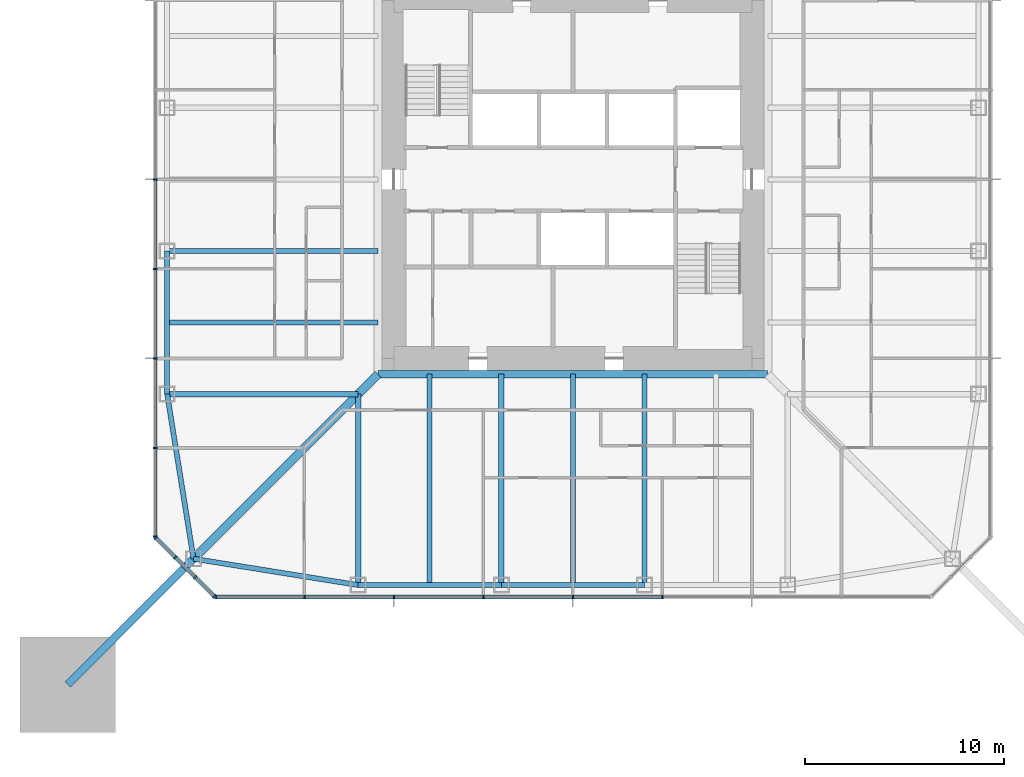
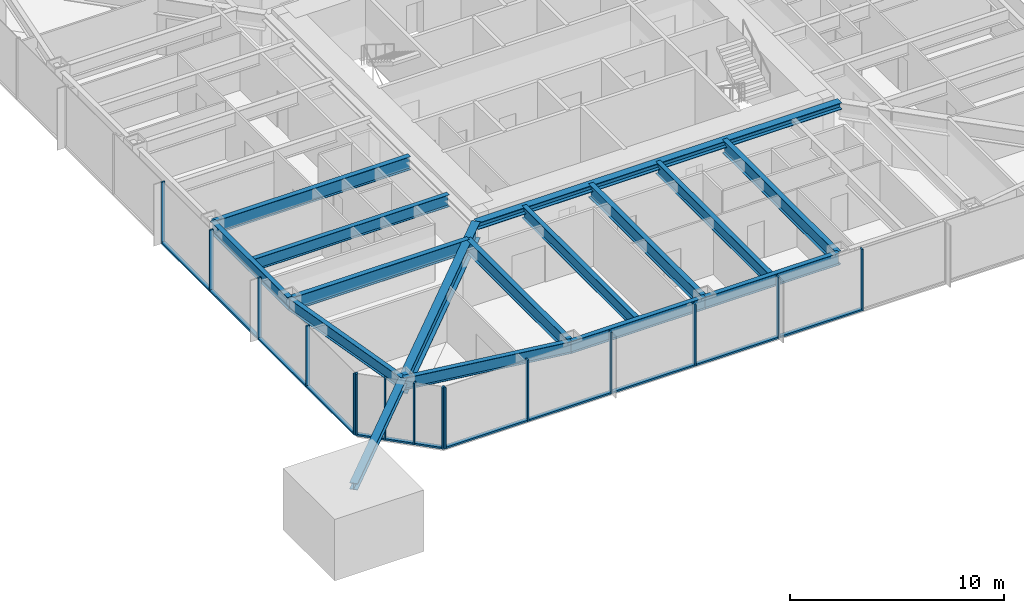
# One storey, part 3 of 25: 28 members, 15 beams, 3 elements without a shape of their own.
"""IFC4 building model written with IfcOpenShell, lengths in metres."""

from ifc_helpers import new_model, si_unit, direction, frame, origin, origin_2d, place, context, subcontext, project, spatial, rectangle, i_section, extrude, material, material_profile, profile_set, type_object, element, aggregate, save


model = new_model("IFC4")

# Units and contexts
model_context = context("Model", 3, precision=1e-05, world=origin(), true_north=direction((0.0, 1.0)))
body_context = subcontext(model_context, "Body", "Model", "MODEL_VIEW")
ifc_project = project(units=[si_unit("LENGTHUNIT", "METRE"), si_unit("AREAUNIT", "SQUARE_METRE"), si_unit("VOLUMEUNIT", "CUBIC_METRE"), si_unit("PLANEANGLEUNIT", "RADIAN"), si_unit("MASSUNIT", "GRAM", prefix="KILO")], contexts=[model_context])

# Site, building, storey
site_placement = place(None, origin())
site = spatial("IfcSite", under=ifc_project, at=site_placement, CompositionType="ELEMENT")
building_placement = place(site_placement, origin())
building = spatial("IfcBuilding", under=site, at=building_placement, Name="Iwan Alto Co-Living Towers", CompositionType="ELEMENT")
storey_placement = place(building_placement, frame((0.0, 0.0, 105.0)))
storey = spatial("IfcBuildingStorey", under=building, at=storey_placement, Name="L28", CompositionType="ELEMENT", Elevation=105.0)

# Curtain wall, members
ifc_material_1 = material(Name="Bronze aluminium unitised frame", Category="aluminium")
curtain_wall_type_1 = type_object("IfcCurtainWallType", Name="CURTAIN WALL CW-A", PredefinedType="NOTDEFINED", material=ifc_material_1)
curtain_wall_1_placement = place(storey_placement, origin())
curtain_wall_1 = element("IfcCurtainWall", 1, at=curtain_wall_1_placement, inside=storey, type_object=curtain_wall_type_1, Name="T1 curtain wall S L28", PredefinedType="NOTDEFINED")
ifc_material_2 = material(Name="Aluminium 6063-T6 bronze anodised", Category="aluminium")
ifc_material_profile_1 = material_profile(ifc_material_2, rectangle(XDim=0.199951171875, YDim=0.080078125, at=origin_2d()), Name="AL 80X200")
ifc_profile_set_1 = profile_set([ifc_material_profile_1], Name="Aluminium 6063-T6 bronze anodised")
member_type_1 = type_object("IfcMemberType", Name="CW-A MULLION 80X200", PredefinedType="MULLION", material=ifc_profile_set_1)
member_1_placement = place(storey_placement, frame((-17.9599609375, -21.0, 0.0), z_axis=(0.0, 0.0, 1.0), x_axis=(0.0, 1.0, 0.0)))
member_1 = element("IfcMember", 2, at=member_1_placement, type_object=member_type_1, Name="CW-A mullion 1", PredefinedType="MULLION", context=body_context, shape_type="SweptSolid", body=[
    extrude(rectangle(XDim=0.199951171875, YDim=0.080078125, at=origin_2d()), origin(), (0.0, 0.0, 1.0), 3.5),
])
member_2_placement = place(storey_placement, frame((-13.5, -21.0, 0.0), z_axis=(0.0, 0.0, 1.0), x_axis=(0.0, 1.0, 0.0)))
member_2 = element("IfcMember", 3, at=member_2_placement, type_object=member_type_1, Name="CW-A mullion 2", PredefinedType="MULLION", context=body_context, shape_type="SweptSolid", body=[
    extrude(rectangle(XDim=0.199951171875, YDim=0.080078125, at=origin_2d()), origin(), (0.0, 0.0, 1.0), 3.5),
])
member_3_placement = place(storey_placement, frame((-9.0, -21.0, 0.0), z_axis=(0.0, 0.0, 1.0), x_axis=(0.0, 1.0, 0.0)))
member_3 = element("IfcMember", 4, at=member_3_placement, type_object=member_type_1, Name="CW-A mullion 3", PredefinedType="MULLION", context=body_context, shape_type="SweptSolid", body=[
    extrude(rectangle(XDim=0.199951171875, YDim=0.080078125, at=origin_2d()), origin(), (0.0, 0.0, 1.0), 3.5),
])
member_4_placement = place(storey_placement, frame((-4.5, -21.0, 0.0), z_axis=(0.0, 0.0, 1.0), x_axis=(0.0, 1.0, 0.0)))
member_4 = element("IfcMember", 5, at=member_4_placement, type_object=member_type_1, Name="CW-A mullion 4", PredefinedType="MULLION", context=body_context, shape_type="SweptSolid", body=[
    extrude(rectangle(XDim=0.199951171875, YDim=0.080078125, at=origin_2d()), origin(), (0.0, 0.0, 1.0), 3.5),
])
member_5_placement = place(storey_placement, frame((0.0, -21.0, 0.0), z_axis=(0.0, 0.0, 1.0), x_axis=(0.0, 1.0, 0.0)))
member_5 = element("IfcMember", 6, at=member_5_placement, type_object=member_type_1, Name="CW-A mullion 5", PredefinedType="MULLION", context=body_context, shape_type="SweptSolid", body=[
    extrude(rectangle(XDim=0.199951171875, YDim=0.080078125, at=origin_2d()), origin(), (0.0, 0.0, 1.0), 3.5),
])
member_6_placement = place(storey_placement, frame((4.5, -21.0, 0.0), z_axis=(0.0, 0.0, 1.0), x_axis=(0.0, 1.0, 0.0)))
member_6 = element("IfcMember", 7, at=member_6_placement, type_object=member_type_1, Name="CW-A mullion 6", PredefinedType="MULLION", context=body_context, shape_type="SweptSolid", body=[
    extrude(rectangle(XDim=0.199951171875, YDim=0.080078125, at=origin_2d()), origin(), (0.0, 0.0, 1.0), 3.5),
])

curtain_wall_2_placement = place(storey_placement, origin())
curtain_wall_2 = element("IfcCurtainWall", 8, at=curtain_wall_2_placement, inside=storey, type_object=curtain_wall_type_1, Name="T1 curtain wall W L28", PredefinedType="NOTDEFINED")
member_7_placement = place(storey_placement, frame((-21.0, 0.0, 0.0), z_axis=(0.0, 0.0, 1.0), x_axis=(1.0, 0.0, 0.0)))
member_7 = element("IfcMember", 9, at=member_7_placement, type_object=member_type_1, Name="CW-A mullion 5", PredefinedType="MULLION", context=body_context, shape_type="SweptSolid", body=[
    extrude(rectangle(XDim=0.199951171875, YDim=0.080078125, at=origin_2d()), origin(), (0.0, 0.0, 1.0), 3.5),
])
member_8_placement = place(storey_placement, frame((-21.0, -4.5, 0.0), z_axis=(0.0, 0.0, 1.0), x_axis=(1.0, 0.0, 0.0)))
member_8 = element("IfcMember", 10, at=member_8_placement, type_object=member_type_1, Name="CW-A mullion 6", PredefinedType="MULLION", context=body_context, shape_type="SweptSolid", body=[
    extrude(rectangle(XDim=0.199951171875, YDim=0.080078125, at=origin_2d()), origin(), (0.0, 0.0, 1.0), 3.5),
])
member_9_placement = place(storey_placement, frame((-21.0, -9.0, 0.0), z_axis=(0.0, 0.0, 1.0), x_axis=(1.0, 0.0, 0.0)))
member_9 = element("IfcMember", 11, at=member_9_placement, type_object=member_type_1, Name="CW-A mullion 7", PredefinedType="MULLION", context=body_context, shape_type="SweptSolid", body=[
    extrude(rectangle(XDim=0.199951171875, YDim=0.080078125, at=origin_2d()), origin(), (0.0, 0.0, 1.0), 3.5),
])
member_10_placement = place(storey_placement, frame((-21.0, -13.5, 0.0), z_axis=(0.0, 0.0, 1.0), x_axis=(1.0, 0.0, 0.0)))
member_10 = element("IfcMember", 12, at=member_10_placement, type_object=member_type_1, Name="CW-A mullion 8", PredefinedType="MULLION", context=body_context, shape_type="SweptSolid", body=[
    extrude(rectangle(XDim=0.199951171875, YDim=0.080078125, at=origin_2d()), origin(), (0.0, 0.0, 1.0), 3.5),
])
member_11_placement = place(storey_placement, frame((-21.0, -17.9599609375, 0.0), z_axis=(0.0, 0.0, 1.0), x_axis=(1.0, 0.0, 0.0)))
member_11 = element("IfcMember", 13, at=member_11_placement, type_object=member_type_1, Name="CW-A mullion 9", PredefinedType="MULLION", context=body_context, shape_type="SweptSolid", body=[
    extrude(rectangle(XDim=0.199951171875, YDim=0.080078125, at=origin_2d()), origin(), (0.0, 0.0, 1.0), 3.5),
])

# Member
ifc_material_3 = material(Name="Aluminium 6063-T6 bronze anodised", Category="aluminium")
ifc_material_profile_2 = material_profile(ifc_material_3, rectangle(XDim=0.199951171875, YDim=0.10009765625, at=origin_2d()), Name="AL 200X100")
ifc_profile_set_2 = profile_set([ifc_material_profile_2], Name="Aluminium 6063-T6 bronze anodised")
member_type_2 = type_object("IfcMemberType", Name="CW-A TRANSOM 200X100", PredefinedType="USERDEFINED", material=ifc_profile_set_2)
member_12_placement = place(storey_placement, frame((-17.919921875, -21.0, 0.050048828125), z_axis=(1.0, 0.0, 0.0), x_axis=(0.0, 1.0, 0.0)))
member_12 = element("IfcMember", 14, at=member_12_placement, type_object=member_type_2, Name="CW-A transom 1.1", ObjectType="TRANSOM", PredefinedType="USERDEFINED", context=body_context, shape_type="SweptSolid", body=[
    extrude(rectangle(XDim=0.199951171875, YDim=0.10009765625, at=origin_2d()), origin(), (0.0, 0.0, 1.0), 4.3798828125),
])

member_13_placement = place(storey_placement, frame((-13.4599609375, -21.0, 0.050048828125), z_axis=(1.0, 0.0, 0.0), x_axis=(0.0, 1.0, 0.0)))
member_13 = element("IfcMember", 15, at=member_13_placement, type_object=member_type_2, Name="CW-A transom 2.1", ObjectType="TRANSOM", PredefinedType="USERDEFINED", context=body_context, shape_type="SweptSolid", body=[
    extrude(rectangle(XDim=0.199951171875, YDim=0.10009765625, at=origin_2d()), origin(), (0.0, 0.0, 1.0), 4.419921875),
])

member_14_placement = place(storey_placement, frame((-8.9599609375, -21.0, 0.050048828125), z_axis=(1.0, 0.0, 0.0), x_axis=(0.0, 1.0, 0.0)))
member_14 = element("IfcMember", 16, at=member_14_placement, type_object=member_type_2, Name="CW-A transom 3.1", ObjectType="TRANSOM", PredefinedType="USERDEFINED", context=body_context, shape_type="SweptSolid", body=[
    extrude(rectangle(XDim=0.199951171875, YDim=0.10009765625, at=origin_2d()), origin(), (0.0, 0.0, 1.0), 4.419921875),
])

member_15_placement = place(storey_placement, frame((-4.4599609375, -21.0, 0.050048828125), z_axis=(1.0, 0.0, 0.0), x_axis=(0.0, 1.0, 0.0)))
member_15 = element("IfcMember", 17, at=member_15_placement, type_object=member_type_2, Name="CW-A transom 4.1", ObjectType="TRANSOM", PredefinedType="USERDEFINED", context=body_context, shape_type="SweptSolid", body=[
    extrude(rectangle(XDim=0.199951171875, YDim=0.10009765625, at=origin_2d()), origin(), (0.0, 0.0, 1.0), 4.419921875),
])

member_16_placement = place(storey_placement, frame((0.0400390625, -21.0, 0.050048828125), z_axis=(1.0, 0.0, 0.0), x_axis=(0.0, 1.0, 0.0)))
member_16 = element("IfcMember", 18, at=member_16_placement, type_object=member_type_2, Name="CW-A transom 5.1", ObjectType="TRANSOM", PredefinedType="USERDEFINED", context=body_context, shape_type="SweptSolid", body=[
    extrude(rectangle(XDim=0.199951171875, YDim=0.10009765625, at=origin_2d()), origin(), (0.0, 0.0, 1.0), 4.419921875),
])

aggregate(curtain_wall_1, [member_1, member_2, member_3, member_4, member_5, member_6, member_12, member_13, member_14, member_15, member_16])

member_17_placement = place(storey_placement, frame((-21.0, -0.0400390625, 0.050048828125), z_axis=(0.0, -1.0, 0.0), x_axis=(1.0, 0.0, 0.0)))
member_17 = element("IfcMember", 19, at=member_17_placement, type_object=member_type_2, Name="CW-A transom 5.1", ObjectType="TRANSOM", PredefinedType="USERDEFINED", context=body_context, shape_type="SweptSolid", body=[
    extrude(rectangle(XDim=0.199951171875, YDim=0.10009765625, at=origin_2d()), origin(), (0.0, 0.0, 1.0), 4.419921875),
])

member_18_placement = place(storey_placement, frame((-21.0, -4.5400390625, 0.050048828125), z_axis=(0.0, -1.0, 0.0), x_axis=(1.0, 0.0, 0.0)))
member_18 = element("IfcMember", 20, at=member_18_placement, type_object=member_type_2, Name="CW-A transom 6.1", ObjectType="TRANSOM", PredefinedType="USERDEFINED", context=body_context, shape_type="SweptSolid", body=[
    extrude(rectangle(XDim=0.199951171875, YDim=0.10009765625, at=origin_2d()), origin(), (0.0, 0.0, 1.0), 4.419921875),
])

member_19_placement = place(storey_placement, frame((-21.0, -9.0400390625, 0.050048828125), z_axis=(0.0, -1.0, 0.0), x_axis=(1.0, 0.0, 0.0)))
member_19 = element("IfcMember", 21, at=member_19_placement, type_object=member_type_2, Name="CW-A transom 7.1", ObjectType="TRANSOM", PredefinedType="USERDEFINED", context=body_context, shape_type="SweptSolid", body=[
    extrude(rectangle(XDim=0.199951171875, YDim=0.10009765625, at=origin_2d()), origin(), (0.0, 0.0, 1.0), 4.419921875),
])

member_20_placement = place(storey_placement, frame((-21.0, -13.5400390625, 0.050048828125), z_axis=(0.0, -1.0, 0.0), x_axis=(1.0, 0.0, 0.0)))
member_20 = element("IfcMember", 22, at=member_20_placement, type_object=member_type_2, Name="CW-A transom 8.1", ObjectType="TRANSOM", PredefinedType="USERDEFINED", context=body_context, shape_type="SweptSolid", body=[
    extrude(rectangle(XDim=0.199951171875, YDim=0.10009765625, at=origin_2d()), origin(), (0.0, 0.0, 1.0), 4.3798828125),
])

aggregate(curtain_wall_2, [member_7, member_8, member_9, member_10, member_11, member_17, member_18, member_19, member_20])

# Curtain wall, members
ifc_material_4 = material(Name="Bronze aluminium unitised frame", Category="aluminium")
curtain_wall_type_2 = type_object("IfcCurtainWallType", Name="CURTAIN WALL CW-B", PredefinedType="NOTDEFINED", material=ifc_material_4)
curtain_wall_3_placement = place(storey_placement, origin())
curtain_wall_3 = element("IfcCurtainWall", 23, at=curtain_wall_3_placement, inside=storey, type_object=curtain_wall_type_2, Name="T1 chamfer curtain wall SW L28", PredefinedType="NOTDEFINED")
ifc_material_5 = material(Name="Aluminium 6063-T6 bronze anodised", Category="aluminium")
ifc_material_profile_3 = material_profile(ifc_material_5, rectangle(XDim=0.199951171875, YDim=0.080078125, at=origin_2d()), Name="AL 80X200")
ifc_profile_set_3 = profile_set([ifc_material_profile_3], Name="Aluminium 6063-T6 bronze anodised")
member_type_3 = type_object("IfcMemberType", Name="CW-B MULLION 80X200", PredefinedType="MULLION", material=ifc_profile_set_3)
member_21_placement = place(storey_placement, frame((-20.9716796875, -18.0283203125, 0.0), z_axis=(0.0, 0.0, 1.0), x_axis=(0.707106781187, 0.707106781187, 0.0)))
member_21 = element("IfcMember", 24, at=member_21_placement, type_object=member_type_3, Name="CW-B mullion 1", PredefinedType="MULLION", context=body_context, shape_type="SweptSolid", body=[
    extrude(rectangle(XDim=0.199951171875, YDim=0.080078125, at=origin_2d()), origin(), (0.0, 0.0, 1.0), 3.5),
])
member_22_placement = place(storey_placement, frame((-20.0, -19.0, 0.0), z_axis=(0.0, 0.0, 1.0), x_axis=(0.707106781187, 0.707106781187, 0.0)))
member_22 = element("IfcMember", 25, at=member_22_placement, type_object=member_type_3, Name="CW-B mullion 2", PredefinedType="MULLION", context=body_context, shape_type="SweptSolid", body=[
    extrude(rectangle(XDim=0.199951171875, YDim=0.080078125, at=origin_2d()), origin(), (0.0, 0.0, 1.0), 3.5),
])
member_23_placement = place(storey_placement, frame((-19.0, -20.0, 0.0), z_axis=(0.0, 0.0, 1.0), x_axis=(0.707106781187, 0.707106781187, 0.0)))
member_23 = element("IfcMember", 26, at=member_23_placement, type_object=member_type_3, Name="CW-B mullion 3", PredefinedType="MULLION", context=body_context, shape_type="SweptSolid", body=[
    extrude(rectangle(XDim=0.199951171875, YDim=0.080078125, at=origin_2d()), origin(), (0.0, 0.0, 1.0), 3.5),
])
member_24_placement = place(storey_placement, frame((-18.0283203125, -20.9716796875, 0.0), z_axis=(0.0, 0.0, 1.0), x_axis=(0.707106781187, 0.707106781187, 0.0)))
member_24 = element("IfcMember", 27, at=member_24_placement, type_object=member_type_3, Name="CW-B mullion 4", PredefinedType="MULLION", context=body_context, shape_type="SweptSolid", body=[
    extrude(rectangle(XDim=0.199951171875, YDim=0.080078125, at=origin_2d()), origin(), (0.0, 0.0, 1.0), 3.5),
])
ifc_material_6 = material(Name="Aluminium 6063-T6 bronze anodised", Category="aluminium")
ifc_material_profile_4 = material_profile(ifc_material_6, rectangle(XDim=0.199951171875, YDim=0.10009765625, at=origin_2d()), Name="AL 200X100")
ifc_profile_set_4 = profile_set([ifc_material_profile_4], Name="Aluminium 6063-T6 bronze anodised")
member_type_4 = type_object("IfcMemberType", Name="CW-B TRANSOM 200X100", PredefinedType="USERDEFINED", material=ifc_profile_set_4)
member_25_placement = place(storey_placement, frame((-20.943359375, -18.056640625, 0.050048828125), z_axis=(0.707106781187, -0.707106781187, 0.0), x_axis=(0.707106781187, 0.707106781187, 0.0)))
member_25 = element("IfcMember", 28, at=member_25_placement, type_object=member_type_4, Name="CW-B transom 1.1", ObjectType="TRANSOM", PredefinedType="USERDEFINED", context=body_context, shape_type="SweptSolid", body=[
    extrude(rectangle(XDim=0.199951171875, YDim=0.10009765625, at=origin_2d()), origin(), (0.0, 0.0, 1.0), 1.2939453125),
])
member_26_placement = place(storey_placement, frame((-19.9716796875, -19.0283203125, 0.050048828125), z_axis=(0.707106781187, -0.707106781187, 0.0), x_axis=(0.707106781187, 0.707106781187, 0.0)))
member_26 = element("IfcMember", 29, at=member_26_placement, type_object=member_type_4, Name="CW-B transom 2.1", ObjectType="TRANSOM", PredefinedType="USERDEFINED", context=body_context, shape_type="SweptSolid", body=[
    extrude(rectangle(XDim=0.199951171875, YDim=0.10009765625, at=origin_2d()), origin(), (0.0, 0.0, 1.0), 1.334228515625),
])
member_27_placement = place(storey_placement, frame((-18.9716796875, -20.0283203125, 0.050048828125), z_axis=(0.707106781187, -0.707106781187, 0.0), x_axis=(0.707106781187, 0.707106781187, 0.0)))
member_27 = element("IfcMember", 30, at=member_27_placement, type_object=member_type_4, Name="CW-B transom 3.1", ObjectType="TRANSOM", PredefinedType="USERDEFINED", context=body_context, shape_type="SweptSolid", body=[
    extrude(rectangle(XDim=0.199951171875, YDim=0.10009765625, at=origin_2d()), origin(), (0.0, 0.0, 1.0), 1.2939453125),
])
aggregate(curtain_wall_3, [member_21, member_22, member_23, member_24, member_25, member_26, member_27])

# Beams
ifc_material_7 = material(Name="Steel ASTM A992 Gr 50", Category="steel")
ifc_material_profile_5 = material_profile(ifc_material_7, i_section(OverallWidth=0.398681640625, OverallDepth=0.385986328125, WebThickness=0.02099609375, FlangeThickness=0.033203125, at=origin_2d()), Name="W14X176")
ifc_profile_set_5 = profile_set([ifc_material_profile_5], Name="Steel ASTM A992 Gr 50")
beam_type_1 = type_object("IfcBeamType", Name="T1 CORE LEDGER BEAM W14X176", PredefinedType="BEAM", material=ifc_profile_set_5)
beam_1_placement = place(storey_placement, frame((-9.79931640625, -9.79931640625, 3.076904296875), z_axis=(1.0, 0.0, 0.0), x_axis=(0.0, 1.0, 0.0)))
element("IfcBeam", 31, at=beam_1_placement, inside=storey, type_object=beam_type_1, Name="T1 core ledger beam S L29", PredefinedType="BEAM", context=body_context, shape_type="SweptSolid", body=[
    extrude(i_section(OverallWidth=0.398681640625, OverallDepth=0.385986328125, WebThickness=0.02099609375, FlangeThickness=0.033203125, at=origin_2d()), origin(), (0.0, 0.0, 1.0), 19.5986328125),
])
ifc_material_8 = material(Name="Steel ASTM A992 Gr 50", Category="steel")
ifc_material_profile_6 = material_profile(ifc_material_8, i_section(OverallWidth=0.419189453125, OverallDepth=0.927001953125, WebThickness=0.019287109375, FlangeThickness=0.031982421875, at=origin_2d()), Name="W36X231")
ifc_profile_set_6 = profile_set([ifc_material_profile_6], Name="Steel ASTM A992 Gr 50")
beam_type_2 = type_object("IfcBeamType", Name="T1 CORNER GIRDER W36X231", PredefinedType="BEAM", material=ifc_profile_set_6)
beam_2_placement = place(storey_placement, frame((-19.07568359375, -19.07568359375, 2.806396484375), z_axis=(0.707106781187, 0.707106781187, 0.0), x_axis=(-0.707106781187, 0.707106781187, 0.0)))
element("IfcBeam", 32, at=beam_2_placement, inside=storey, type_object=beam_type_2, Name="T1 corner girder CSW L29", PredefinedType="BEAM", context=body_context, shape_type="SweptSolid", body=[
    extrude(i_section(OverallWidth=0.419189453125, OverallDepth=0.927001953125, WebThickness=0.019287109375, FlangeThickness=0.031982421875, at=origin_2d()), origin(), (0.0, 0.0, 1.0), 13.11865234375),
])
ifc_material_9 = material(Name="Steel ASTM A992 Gr 50", Category="steel")
ifc_material_profile_7 = material_profile(ifc_material_9, i_section(OverallWidth=0.25390625, OverallDepth=0.683349609375, WebThickness=0.012451171875, FlangeThickness=0.018798828125, at=origin_2d()), Name="W27X94")
ifc_profile_set_7 = profile_set([ifc_material_profile_7], Name="Steel ASTM A992 Gr 50")
beam_type_3 = type_object("IfcBeamType", Name="T1 EDGE BEAM W27X94", PredefinedType="BEAM", material=ifc_profile_set_7)
beam_3_placement = place(storey_placement, frame((-19.07568359375, -19.07568359375, 2.928466796875), z_axis=(0.987438450439, -0.158004134737, 0.0), x_axis=(0.158004134737, 0.987438450439, 0.0)))
element("IfcBeam", 33, at=beam_3_placement, inside=storey, type_object=beam_type_3, Name="T1 edge beam CSW L29", PredefinedType="BEAM", context=body_context, shape_type="SweptSolid", body=[
    extrude(i_section(OverallWidth=0.25390625, OverallDepth=0.683349609375, WebThickness=0.012451171875, FlangeThickness=0.018798828125, at=origin_2d()), origin(), (0.0, 0.0, 1.0), 8.380859375),
])
beam_4_placement = place(storey_placement, frame((-10.800048828125, -20.39990234375, 2.928466796875), z_axis=(1.0, 0.0, 0.0), x_axis=(0.0, 1.0, 0.0)))
element("IfcBeam", 34, at=beam_4_placement, inside=storey, type_object=beam_type_3, Name="T1 edge beam S1 L29", PredefinedType="BEAM", context=body_context, shape_type="SweptSolid", body=[
    extrude(i_section(OverallWidth=0.25390625, OverallDepth=0.683349609375, WebThickness=0.012451171875, FlangeThickness=0.018798828125, at=origin_2d()), origin(), (0.0, 0.0, 1.0), 7.199951171875),
])
beam_5_placement = place(storey_placement, frame((-3.60009765625, -20.39990234375, 2.928466796875), z_axis=(1.0, 0.0, 0.0), x_axis=(0.0, 1.0, 0.0)))
element("IfcBeam", 35, at=beam_5_placement, inside=storey, type_object=beam_type_3, Name="T1 edge beam S2 L29", PredefinedType="BEAM", context=body_context, shape_type="SweptSolid", body=[
    extrude(i_section(OverallWidth=0.25390625, OverallDepth=0.683349609375, WebThickness=0.012451171875, FlangeThickness=0.018798828125, at=origin_2d()), origin(), (0.0, 0.0, 1.0), 7.2001953125),
])
beam_6_placement = place(storey_placement, frame((-20.39990234375, -3.60009765625, 2.928466796875), z_axis=(0.0, -1.0, 0.0), x_axis=(1.0, 0.0, 0.0)))
element("IfcBeam", 36, at=beam_6_placement, inside=storey, type_object=beam_type_3, Name="T1 edge beam W3 L29", PredefinedType="BEAM", context=body_context, shape_type="SweptSolid", body=[
    extrude(i_section(OverallWidth=0.25390625, OverallDepth=0.683349609375, WebThickness=0.012451171875, FlangeThickness=0.018798828125, at=origin_2d()), origin(), (0.0, 0.0, 1.0), 7.199951171875),
])
beam_7_placement = place(storey_placement, frame((-20.39990234375, -10.800048828125, 2.928466796875), z_axis=(0.158004134737, -0.987438450439, 0.0), x_axis=(0.987438450439, 0.158004134737, 0.0)))
element("IfcBeam", 37, at=beam_7_placement, inside=storey, type_object=beam_type_3, Name="T1 edge beam W4 L29", PredefinedType="BEAM", context=body_context, shape_type="SweptSolid", body=[
    extrude(i_section(OverallWidth=0.25390625, OverallDepth=0.683349609375, WebThickness=0.012451171875, FlangeThickness=0.018798828125, at=origin_2d()), origin(), (0.0, 0.0, 1.0), 8.380859375),
])

# Member
ifc_material_10 = material(Name="Steel ASTM A992 Gr 50", Category="steel")
ifc_material_profile_8 = material_profile(ifc_material_10, i_section(OverallWidth=0.393798828125, OverallDepth=0.3759765625, WebThickness=0.017333984375, FlangeThickness=0.027587890625, at=origin_2d()), Name="W14X145")
ifc_profile_set_8 = profile_set([ifc_material_profile_8], Name="Steel ASTM A992 Gr 50")
member_type_5 = type_object("IfcMemberType", Name="T1 MEGA COLUMN FLOOR TIE W14X145", PredefinedType="STRUT", material=ifc_profile_set_8)
member_28_placement = place(storey_placement, frame((-25.39990234375, -25.39990234375, 3.08203125), z_axis=(0.707106781187, 0.707106781187, 0.0), x_axis=(-0.707106781187, 0.707106781187, 0.0)))
element("IfcMember", 38, at=member_28_placement, inside=storey, type_object=member_type_5, Name="T1 mega column floor tie SW L29", PredefinedType="STRUT", context=body_context, shape_type="SweptSolid", body=[
    extrude(i_section(OverallWidth=0.393798828125, OverallDepth=0.3759765625, WebThickness=0.017333984375, FlangeThickness=0.027587890625, at=origin_2d()), origin(), (0.0, 0.0, 1.0), 8.94384765625),
])

# Beams
ifc_material_11 = material(Name="Steel ASTM A992 Gr 50", Category="steel")
ifc_material_profile_9 = material_profile(ifc_material_11, i_section(OverallWidth=0.2666015625, OverallDepth=0.761962890625, WebThickness=0.014404296875, FlangeThickness=0.021484375, at=origin_2d()), Name="W30X116")
ifc_profile_set_9 = profile_set([ifc_material_profile_9], Name="Steel ASTM A992 Gr 50")
beam_type_4 = type_object("IfcBeamType", Name="T1 RADIAL BEAM W30X116", PredefinedType="BEAM", material=ifc_profile_set_9)
beam_8_placement = place(storey_placement, frame((-10.800048828125, -20.39990234375, 2.888916015625), z_axis=(0.0, 1.0, 0.0), x_axis=(-1.0, 0.0, 0.0)))
element("IfcBeam", 39, at=beam_8_placement, inside=storey, type_object=beam_type_4, Name="T1 radial beam S1 L29", PredefinedType="BEAM", context=body_context, shape_type="SweptSolid", body=[
    extrude(i_section(OverallWidth=0.2666015625, OverallDepth=0.761962890625, WebThickness=0.014404296875, FlangeThickness=0.021484375, at=origin_2d()), origin(), (0.0, 0.0, 1.0), 9.599853515625),
])
for number, where, z_axis, x_axis, name in (
    (40, (-3.60009765625, -20.39990234375, 2.888916015625), (0.0, 1.0, 0.0), (-1.0, 0.0, 0.0), "T1 radial beam S2 L29"),
    (41, (3.60009765625, -20.39990234375, 2.888916015625), (0.0, 1.0, 0.0), (-1.0, 0.0, 0.0), "T1 radial beam S3 L29"),
    (42, (-20.39990234375, -3.60009765625, 2.888916015625), (1.0, 0.0, 0.0), (0.0, 1.0, 0.0), "T1 radial beam W3 L29"),
):
    element("IfcBeam", number, at=place(storey_placement, frame(where, z_axis=z_axis, x_axis=x_axis)), inside=storey, type_object=beam_type_4, Name=name, PredefinedType="BEAM", context=body_context, shape_type="SweptSolid", body=[
        extrude(i_section(OverallWidth=0.2666015625, OverallDepth=0.761962890625, WebThickness=0.014404296875, FlangeThickness=0.021484375, at=origin_2d()), origin(), (0.0, 0.0, 1.0), 10.6005859375),
    ])
beam_9_placement = place(storey_placement, frame((-20.39990234375, -10.800048828125, 2.888916015625), z_axis=(1.0, 0.0, 0.0), x_axis=(0.0, 1.0, 0.0)))
element("IfcBeam", 43, at=beam_9_placement, inside=storey, type_object=beam_type_4, Name="T1 radial beam W4 L29", PredefinedType="BEAM", context=body_context, shape_type="SweptSolid", body=[
    extrude(i_section(OverallWidth=0.2666015625, OverallDepth=0.761962890625, WebThickness=0.014404296875, FlangeThickness=0.021484375, at=origin_2d()), origin(), (0.0, 0.0, 1.0), 9.599853515625),
])
ifc_material_12 = material(Name="Steel ASTM A992 Gr 50", Category="steel")
ifc_material_profile_10 = material_profile(ifc_material_12, i_section(OverallWidth=0.25390625, OverallDepth=0.683349609375, WebThickness=0.012451171875, FlangeThickness=0.018798828125, at=origin_2d()), Name="W27X94")
ifc_profile_set_10 = profile_set([ifc_material_profile_10], Name="Steel ASTM A992 Gr 50")
beam_type_5 = type_object("IfcBeamType", Name="T1 SECONDARY BEAM W27X94", PredefinedType="JOIST", material=ifc_profile_set_10)
for number, where, z_axis, x_axis, name in (
    (44, (-7.199951171875, -20.39990234375, 2.928466796875), (0.0, 1.0, 0.0), (-1.0, 0.0, 0.0), "T1 secondary beam S1 L29"),
    (45, (0.0, -20.39990234375, 2.928466796875), (0.0, 1.0, 0.0), (-1.0, 0.0, 0.0), "T1 secondary beam S2 L29"),
    (46, (-20.39990234375, -7.199951171875, 2.928466796875), (1.0, 0.0, 0.0), (0.0, 1.0, 0.0), "T1 secondary beam W3 L29"),
):
    element("IfcBeam", number, at=place(storey_placement, frame(where, z_axis=z_axis, x_axis=x_axis)), inside=storey, type_object=beam_type_5, Name=name, PredefinedType="JOIST", context=body_context, shape_type="SweptSolid", body=[
        extrude(i_section(OverallWidth=0.25390625, OverallDepth=0.683349609375, WebThickness=0.012451171875, FlangeThickness=0.018798828125, at=origin_2d()), origin(), (0.0, 0.0, 1.0), 10.6005859375),
    ])

save(model, "model.ifc")
